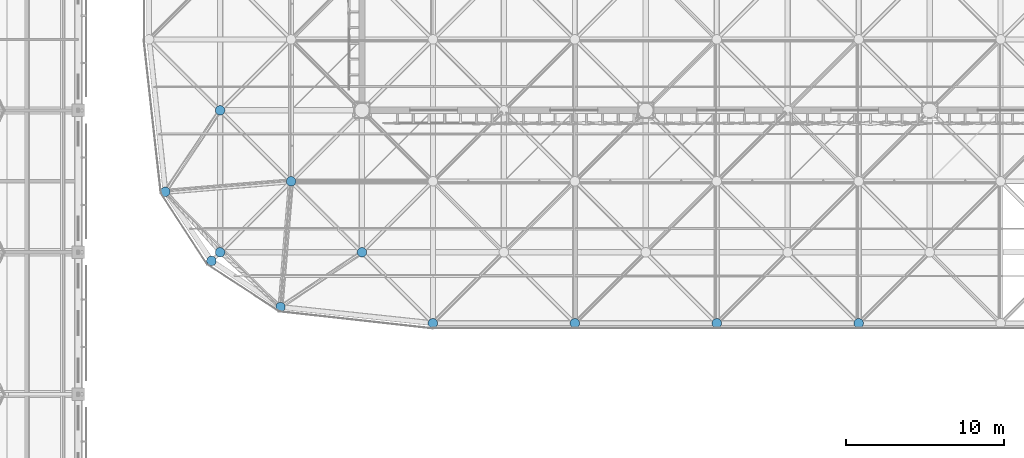
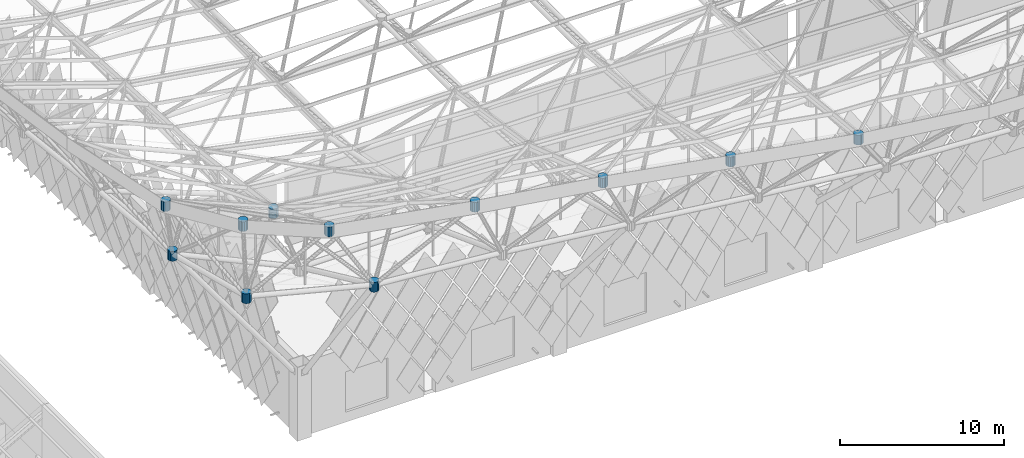
# One storey, part 285 of 437: 11 discrete accessories.
"""IFC4 building model written with IfcOpenShell, lengths in metres."""

from ifc_helpers import new_model, si_unit, direction, frame, origin, place, context, subcontext, project, spatial, polyline, outline, extrude, material, type_object, element, save


model = new_model("IFC4")

# Units and contexts
model_context = context("Model", 3, precision=1e-05, world=origin(), true_north=direction((0.0, 1.0)))
body_context = subcontext(model_context, "Body", "Model", "MODEL_VIEW")
ifc_project = project(units=[si_unit("LENGTHUNIT", "METRE"), si_unit("AREAUNIT", "SQUARE_METRE"), si_unit("VOLUMEUNIT", "CUBIC_METRE"), si_unit("PLANEANGLEUNIT", "RADIAN"), si_unit("MASSUNIT", "GRAM", prefix="KILO")], contexts=[model_context])

# Site, building, storey
site_placement = place(None, origin())
site = spatial("IfcSite", under=ifc_project, at=site_placement, CompositionType="ELEMENT")
building_placement = place(site_placement, origin())
building = spatial("IfcBuilding", under=site, at=building_placement, Name="Opaline Strait Convention Centre", CompositionType="ELEMENT")
storey_placement = place(building_placement, frame((0.0, 0.0, 11.5)))
storey = spatial("IfcBuildingStorey", under=building, at=storey_placement, Name="L02", CompositionType="ELEMENT", Elevation=11.5)

# Discrete accessories
ifc_material = material(Name="Cast steel ZG300-500H (300 MPa)", Category="steel")
discrete_accessory_type = type_object("IfcDiscreteAccessoryType", Name="Space frame node hub D600", PredefinedType="USERDEFINED", material=ifc_material)
discrete_accessory_1_placement = place(storey_placement, frame((0.0, 0.0, 24.490478515625)))
element("IfcDiscreteAccessory", 1, at=discrete_accessory_1_placement, inside=storey, type_object=discrete_accessory_type, Name="Top node 1/1", ObjectType="NODE HUB", PredefinedType="USERDEFINED", context=body_context, shape_type="SweptSolid", body=[
    extrude(outline(polyline([(89.754150390625, 44.513671875), (89.70849609375, 44.6240234375), (89.6240234375, 44.70849609375), (89.513671875, 44.754150390625), (89.394287109375, 44.754150390625), (89.2841796875, 44.70849609375), (89.19970703125, 44.6240234375), (89.154052734375, 44.513671875), (89.154052734375, 44.394287109375), (89.19970703125, 44.2841796875), (89.2841796875, 44.19970703125), (89.394287109375, 44.154052734375), (89.513671875, 44.154052734375), (89.6240234375, 44.19970703125), (89.70849609375, 44.2841796875), (89.754150390625, 44.394287109375), (89.754150390625, 44.513671875)])), origin(), (0.0, 0.0, 1.0), 0.719970703125),
])
discrete_accessory_2_placement = place(storey_placement, frame((0.0, 0.0, 24.340087890625)))
element("IfcDiscreteAccessory", 2, at=discrete_accessory_2_placement, inside=storey, type_object=discrete_accessory_type, Name="Top node 1/2", ObjectType="NODE HUB", PredefinedType="USERDEFINED", context=body_context, shape_type="SweptSolid", body=[
    extrude(outline(polyline([(86.82763671875, 48.893310546875), (86.781982421875, 49.003662109375), (86.697509765625, 49.088134765625), (86.58740234375, 49.1337890625), (86.468017578125, 49.1337890625), (86.357666015625, 49.088134765625), (86.273193359375, 49.003662109375), (86.2275390625, 48.893310546875), (86.2275390625, 48.774169921875), (86.273193359375, 48.663818359375), (86.357666015625, 48.579345703125), (86.468017578125, 48.53369140625), (86.58740234375, 48.53369140625), (86.697509765625, 48.579345703125), (86.781982421875, 48.663818359375), (86.82763671875, 48.774169921875), (86.82763671875, 48.893310546875)])), origin(), (0.0, 0.0, 1.0), 0.719970703125),
])
discrete_accessory_3_placement = place(storey_placement, frame((0.0, 0.0, 24.340087890625)))
element("IfcDiscreteAccessory", 3, at=discrete_accessory_3_placement, inside=storey, type_object=discrete_accessory_type, Name="Top node 2/1", ObjectType="NODE HUB", PredefinedType="USERDEFINED", context=body_context, shape_type="SweptSolid", body=[
    extrude(outline(polyline([(94.1337890625, 41.58740234375), (94.088134765625, 41.697509765625), (94.003662109375, 41.781982421875), (93.893310546875, 41.82763671875), (93.774169921875, 41.82763671875), (93.663818359375, 41.781982421875), (93.579345703125, 41.697509765625), (93.53369140625, 41.58740234375), (93.53369140625, 41.468017578125), (93.579345703125, 41.357666015625), (93.663818359375, 41.273193359375), (93.774169921875, 41.2275390625), (93.893310546875, 41.2275390625), (94.003662109375, 41.273193359375), (94.088134765625, 41.357666015625), (94.1337890625, 41.468017578125), (94.1337890625, 41.58740234375)])), origin(), (0.0, 0.0, 1.0), 0.719970703125),
])
discrete_accessory_4_placement = place(storey_placement, frame((0.0, 0.0, 20.62109375)))
element("IfcDiscreteAccessory", 4, at=discrete_accessory_4_placement, inside=storey, type_object=discrete_accessory_type, Name="Top node 2/2", ObjectType="NODE HUB", PredefinedType="USERDEFINED", context=body_context, shape_type="SweptSolid", body=[
    extrude(outline(polyline([(94.800048828125, 49.559814453125), (94.75439453125, 49.669921875), (94.669921875, 49.75439453125), (94.559814453125, 49.800048828125), (94.440185546875, 49.800048828125), (94.330078125, 49.75439453125), (94.24560546875, 49.669921875), (94.199951171875, 49.559814453125), (94.199951171875, 49.440185546875), (94.24560546875, 49.330078125), (94.330078125, 49.24560546875), (94.440185546875, 49.199951171875), (94.559814453125, 49.199951171875), (94.669921875, 49.24560546875), (94.75439453125, 49.330078125), (94.800048828125, 49.440185546875), (94.800048828125, 49.559814453125)])), origin(), (0.0, 0.0, 1.0), 0.719970703125),
])
discrete_accessory_5_placement = place(storey_placement, frame((0.0, 0.0, 23.408203125)))
element("IfcDiscreteAccessory", 5, at=discrete_accessory_5_placement, inside=storey, type_object=discrete_accessory_type, Name="Top node 3/1", ObjectType="NODE HUB", PredefinedType="USERDEFINED", context=body_context, shape_type="SweptSolid", body=[
    extrude(outline(polyline([(103.800048828125, 40.559814453125), (103.75439453125, 40.669921875), (103.669921875, 40.75439453125), (103.559814453125, 40.800048828125), (103.440185546875, 40.800048828125), (103.330078125, 40.75439453125), (103.24560546875, 40.669921875), (103.199951171875, 40.559814453125), (103.199951171875, 40.440185546875), (103.24560546875, 40.330078125), (103.330078125, 40.24560546875), (103.440185546875, 40.199951171875), (103.559814453125, 40.199951171875), (103.669921875, 40.24560546875), (103.75439453125, 40.330078125), (103.800048828125, 40.440185546875), (103.800048828125, 40.559814453125)])), origin(), (0.0, 0.0, 1.0), 0.719970703125),
])
discrete_accessory_6_placement = place(storey_placement, frame((0.0, 0.0, 22.0634765625)))
element("IfcDiscreteAccessory", 6, at=discrete_accessory_6_placement, inside=storey, type_object=discrete_accessory_type, Name="Top node 4/1", ObjectType="NODE HUB", PredefinedType="USERDEFINED", context=body_context, shape_type="SweptSolid", body=[
    extrude(outline(polyline([(112.800048828125, 40.559814453125), (112.75439453125, 40.669921875), (112.669921875, 40.75439453125), (112.559814453125, 40.800048828125), (112.440185546875, 40.800048828125), (112.330078125, 40.75439453125), (112.24560546875, 40.669921875), (112.199951171875, 40.559814453125), (112.199951171875, 40.440185546875), (112.24560546875, 40.330078125), (112.330078125, 40.24560546875), (112.440185546875, 40.199951171875), (112.559814453125, 40.199951171875), (112.669921875, 40.24560546875), (112.75439453125, 40.330078125), (112.800048828125, 40.440185546875), (112.800048828125, 40.559814453125)])), origin(), (0.0, 0.0, 1.0), 0.719970703125),
])
discrete_accessory_7_placement = place(storey_placement, frame((0.0, 0.0, 20.478759765625)))
element("IfcDiscreteAccessory", 7, at=discrete_accessory_7_placement, inside=storey, type_object=discrete_accessory_type, Name="Top node 5/1", ObjectType="NODE HUB", PredefinedType="USERDEFINED", context=body_context, shape_type="SweptSolid", body=[
    extrude(outline(polyline([(121.800048828125, 40.559814453125), (121.75439453125, 40.669921875), (121.669921875, 40.75439453125), (121.559814453125, 40.800048828125), (121.440185546875, 40.800048828125), (121.330078125, 40.75439453125), (121.24560546875, 40.669921875), (121.199951171875, 40.559814453125), (121.199951171875, 40.440185546875), (121.24560546875, 40.330078125), (121.330078125, 40.24560546875), (121.440185546875, 40.199951171875), (121.559814453125, 40.199951171875), (121.669921875, 40.24560546875), (121.75439453125, 40.330078125), (121.800048828125, 40.440185546875), (121.800048828125, 40.559814453125)])), origin(), (0.0, 0.0, 1.0), 0.719970703125),
])
discrete_accessory_8_placement = place(storey_placement, frame((0.0, 0.0, 18.951416015625)))
element("IfcDiscreteAccessory", 8, at=discrete_accessory_8_placement, inside=storey, type_object=discrete_accessory_type, Name="Top node 6/1", ObjectType="NODE HUB", PredefinedType="USERDEFINED", context=body_context, shape_type="SweptSolid", body=[
    extrude(outline(polyline([(130.800048828125, 40.559814453125), (130.75439453125, 40.669921875), (130.669921875, 40.75439453125), (130.559814453125, 40.800048828125), (130.440185546875, 40.800048828125), (130.330078125, 40.75439453125), (130.24560546875, 40.669921875), (130.199951171875, 40.559814453125), (130.199951171875, 40.440185546875), (130.24560546875, 40.330078125), (130.330078125, 40.24560546875), (130.440185546875, 40.199951171875), (130.559814453125, 40.199951171875), (130.669921875, 40.24560546875), (130.75439453125, 40.330078125), (130.800048828125, 40.440185546875), (130.800048828125, 40.559814453125)])), origin(), (0.0, 0.0, 1.0), 0.719970703125),
])
discrete_accessory_9_placement = place(storey_placement, frame((0.0, 0.0, 18.592041015625)))
element("IfcDiscreteAccessory", 9, at=discrete_accessory_9_placement, inside=storey, type_object=discrete_accessory_type, Name="Bottom node 1/1", ObjectType="NODE HUB", PredefinedType="USERDEFINED", context=body_context, shape_type="SweptSolid", body=[
    extrude(outline(polyline([(90.300048828125, 45.059814453125), (90.25439453125, 45.169921875), (90.169921875, 45.25439453125), (90.059814453125, 45.300048828125), (89.940185546875, 45.300048828125), (89.830078125, 45.25439453125), (89.74560546875, 45.169921875), (89.699951171875, 45.059814453125), (89.699951171875, 44.940185546875), (89.74560546875, 44.830078125), (89.830078125, 44.74560546875), (89.940185546875, 44.699951171875), (90.059814453125, 44.699951171875), (90.169921875, 44.74560546875), (90.25439453125, 44.830078125), (90.300048828125, 44.940185546875), (90.300048828125, 45.059814453125)])), origin(), (0.0, 0.0, 1.0), 0.719970703125),
])
discrete_accessory_10_placement = place(storey_placement, frame((0.0, 0.0, 16.29638671875)))
element("IfcDiscreteAccessory", 10, at=discrete_accessory_10_placement, inside=storey, type_object=discrete_accessory_type, Name="Bottom node 1/2", ObjectType="NODE HUB", PredefinedType="USERDEFINED", context=body_context, shape_type="SweptSolid", body=[
    extrude(outline(polyline([(90.300048828125, 54.059814453125), (90.25439453125, 54.169921875), (90.169921875, 54.25439453125), (90.059814453125, 54.300048828125), (89.940185546875, 54.300048828125), (89.830078125, 54.25439453125), (89.74560546875, 54.169921875), (89.699951171875, 54.059814453125), (89.699951171875, 53.940185546875), (89.74560546875, 53.830078125), (89.830078125, 53.74560546875), (89.940185546875, 53.699951171875), (90.059814453125, 53.699951171875), (90.169921875, 53.74560546875), (90.25439453125, 53.830078125), (90.300048828125, 53.940185546875), (90.300048828125, 54.059814453125)])), origin(), (0.0, 0.0, 1.0), 0.719970703125),
])
discrete_accessory_11_placement = place(storey_placement, frame((0.0, 0.0, 16.29638671875)))
element("IfcDiscreteAccessory", 11, at=discrete_accessory_11_placement, inside=storey, type_object=discrete_accessory_type, Name="Bottom node 2/1", ObjectType="NODE HUB", PredefinedType="USERDEFINED", context=body_context, shape_type="SweptSolid", body=[
    extrude(outline(polyline([(99.300048828125, 45.059814453125), (99.25439453125, 45.169921875), (99.169921875, 45.25439453125), (99.059814453125, 45.300048828125), (98.940185546875, 45.300048828125), (98.830078125, 45.25439453125), (98.74560546875, 45.169921875), (98.699951171875, 45.059814453125), (98.699951171875, 44.940185546875), (98.74560546875, 44.830078125), (98.830078125, 44.74560546875), (98.940185546875, 44.699951171875), (99.059814453125, 44.699951171875), (99.169921875, 44.74560546875), (99.25439453125, 44.830078125), (99.300048828125, 44.940185546875), (99.300048828125, 45.059814453125)])), origin(), (0.0, 0.0, 1.0), 0.719970703125),
])

save(model, "model.ifc")
